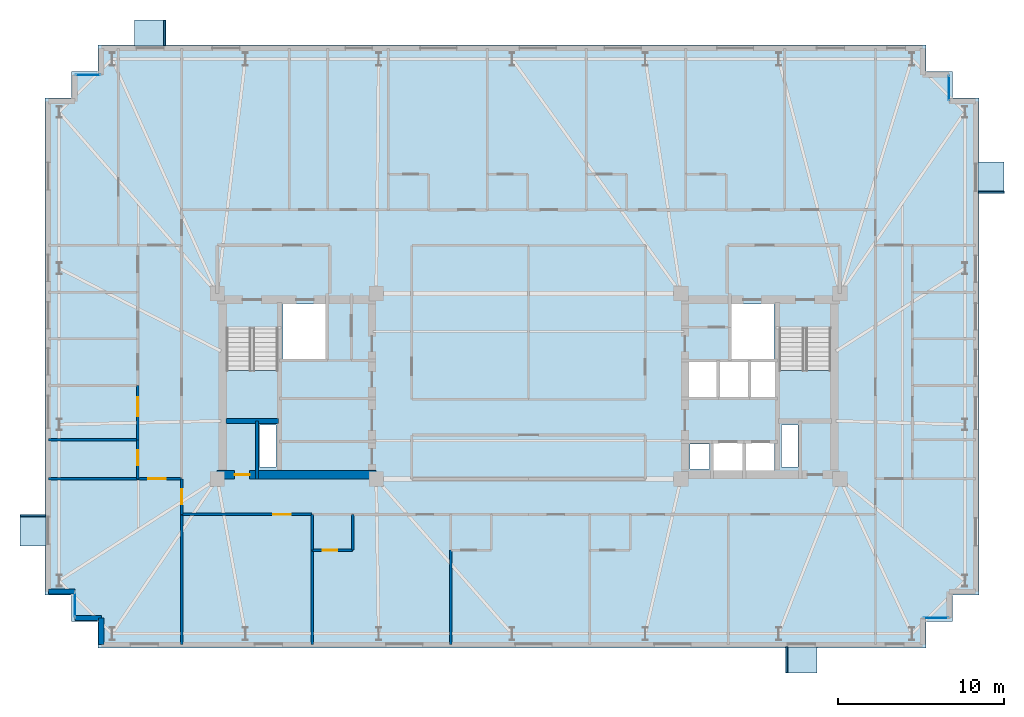
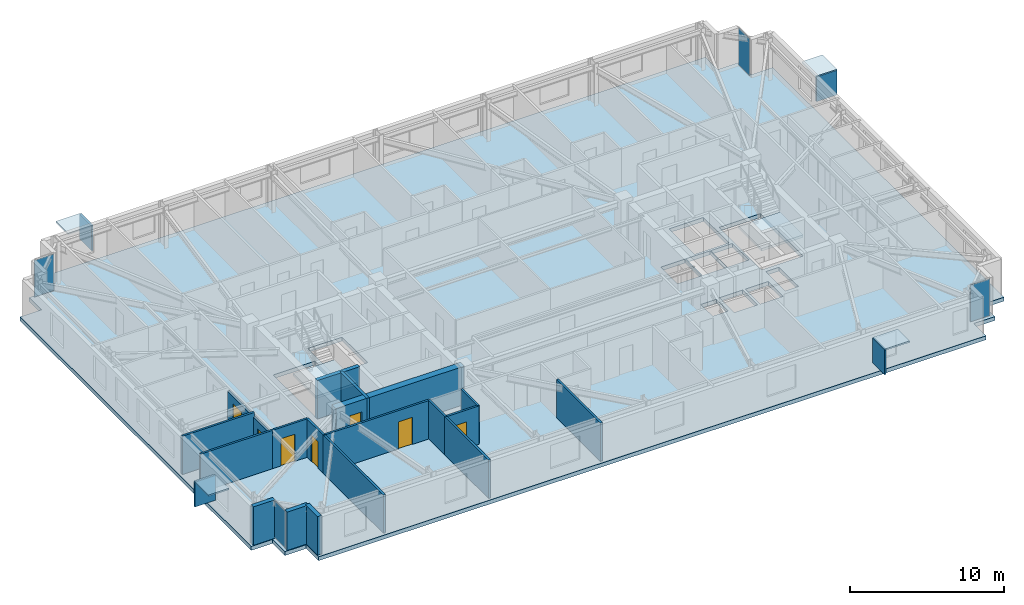
# One storey, part 10 of 18: 19 walls, 12 plates, 7 doors, 3 slabs, 7 openings, 6 elements without a shape of their own.
"""IFC4 building model written with IfcOpenShell, lengths in metres."""

from ifc_helpers import new_model, si_unit, direction, frame, frame_2d, origin, origin_2d, place, context, subcontext, project, spatial, polyline, rectangle, outline, extrude, material, layer, layer_set, type_object, element, fill, aggregate, save


model = new_model("IFC4")

# Units and contexts
model_context = context("Model", 3, precision=1e-05, world=origin(), true_north=direction((0.0, 1.0)))
body_context = subcontext(model_context, "Body", "Model", "MODEL_VIEW")
ifc_project = project(units=[si_unit("LENGTHUNIT", "METRE"), si_unit("AREAUNIT", "SQUARE_METRE"), si_unit("VOLUMEUNIT", "CUBIC_METRE"), si_unit("PLANEANGLEUNIT", "RADIAN"), si_unit("MASSUNIT", "GRAM", prefix="KILO")], contexts=[model_context])

# Site, building, storey
site_placement = place(None, origin())
site = spatial("IfcSite", under=ifc_project, at=site_placement, CompositionType="ELEMENT")
building_placement = place(site_placement, origin())
building = spatial("IfcBuilding", under=site, at=building_placement, Name="Qobustan Lattice House", CompositionType="ELEMENT")
storey_placement = place(building_placement, frame((0.0, 0.0, 134.35009765625)))
storey = spatial("IfcBuildingStorey", under=building, at=storey_placement, Name="L37", CompositionType="ELEMENT", Elevation=134.35009765625)

# Curtain wall, plate
ifc_material_1 = material(Name="Anodised aluminium and low-E glazing", Category="aluminium")
ifc_layer_1 = layer(ifc_material_1, 0.219970703125)
ifc_layer_set_1 = layer_set([ifc_layer_1], Name="Anodised aluminium and low-E glazing")
curtain_wall_type = type_object("IfcCurtainWallType", Name="CW-FAC-02", PredefinedType="USERDEFINED", material=ifc_layer_set_1)
curtain_wall_1_placement = place(storey_placement, origin())
curtain_wall_1 = element("IfcCurtainWall", 1, at=curtain_wall_1_placement, inside=storey, type_object=curtain_wall_type, Name="L37 serrated corner faceted glazing 3", ObjectType="CURTAIN WALL", PredefinedType="USERDEFINED")
ifc_material_2 = material(Name="Clear low-E laminated glass", Category="glass")
ifc_layer_2 = layer(ifc_material_2, 0.031982421875)
ifc_layer_set_2 = layer_set([ifc_layer_2], Name="Clear low-E laminated glass")
plate_type_1 = type_object("IfcPlateType", Name="CWP-VISION-32", PredefinedType="CURTAIN_PANEL", material=ifc_layer_set_2)
plate_1_placement = place(storey_placement, frame((-27.39990234375, -13.199951171875, 0.06494140625), z_axis=(0.0, 0.0, 1.0), x_axis=(0.0, 1.0, 0.0)))
plate_1 = element("IfcPlate", 2, at=plate_1_placement, type_object=plate_type_1, Name="CW-F2 panel 1.1", PredefinedType="CURTAIN_PANEL", context=body_context, shape_type="SweptSolid", body=[
    extrude(rectangle(XDim=1.4599609375, YDim=0.031982421875, at=origin_2d()), origin(), (0.0, 0.0, 1.0), 2.909912109375),
])
aggregate(curtain_wall_1, [plate_1])

curtain_wall_2_placement = place(storey_placement, origin())
curtain_wall_2 = element("IfcCurtainWall", 3, at=curtain_wall_2_placement, inside=storey, type_object=curtain_wall_type, Name="L37 serrated corner faceted glazing 8", ObjectType="CURTAIN WALL", PredefinedType="USERDEFINED")
plate_2_placement = place(storey_placement, frame((-26.60009765625, 18.800048828125, 0.06494140625), z_axis=(0.0, 0.0, 1.0), x_axis=(1.0, 0.0, 0.0)))
plate_2 = element("IfcPlate", 4, at=plate_2_placement, type_object=plate_type_1, Name="CW-F2 panel 1.1", PredefinedType="CURTAIN_PANEL", context=body_context, shape_type="SweptSolid", body=[
    extrude(rectangle(XDim=1.4599609375, YDim=0.031982421875, at=origin_2d()), origin(), (0.0, 0.0, 1.0), 2.909912109375),
])
aggregate(curtain_wall_2, [plate_2])

curtain_wall_3_placement = place(storey_placement, origin())
curtain_wall_3 = element("IfcCurtainWall", 5, at=curtain_wall_3_placement, inside=storey, type_object=curtain_wall_type, Name="L37 serrated corner faceted glazing 13", ObjectType="CURTAIN WALL", PredefinedType="USERDEFINED")
plate_3_placement = place(storey_placement, frame((25.39990234375, 18.0, 0.06494140625), z_axis=(0.0, 0.0, 1.0), x_axis=(0.0, -1.0, 0.0)))
plate_3 = element("IfcPlate", 6, at=plate_3_placement, type_object=plate_type_1, Name="CW-F2 panel 1.1", PredefinedType="CURTAIN_PANEL", context=body_context, shape_type="SweptSolid", body=[
    extrude(rectangle(XDim=1.4599609375, YDim=0.031982421875, at=origin_2d()), origin(), (0.0, 0.0, 1.0), 2.909912109375),
])
aggregate(curtain_wall_3, [plate_3])

curtain_wall_4_placement = place(storey_placement, origin())
curtain_wall_4 = element("IfcCurtainWall", 7, at=curtain_wall_4_placement, inside=storey, type_object=curtain_wall_type, Name="L37 serrated corner faceted glazing 18", ObjectType="CURTAIN WALL", PredefinedType="USERDEFINED")
plate_4_placement = place(storey_placement, frame((24.60009765625, -14.0, 0.06494140625), z_axis=(0.0, 0.0, 1.0), x_axis=(-1.0, 0.0, 0.0)))
plate_4 = element("IfcPlate", 8, at=plate_4_placement, type_object=plate_type_1, Name="CW-F2 panel 1.1", PredefinedType="CURTAIN_PANEL", context=body_context, shape_type="SweptSolid", body=[
    extrude(rectangle(XDim=1.4599609375, YDim=0.031982421875, at=origin_2d()), origin(), (0.0, 0.0, 1.0), 2.909912109375),
])
aggregate(curtain_wall_4, [plate_4])

# Plates
ifc_material_3 = material(Name="Qobustan limestone GFRC", Category="masonry")
ifc_layer_3 = layer(ifc_material_3, 0.1201171875)
ifc_layer_set_3 = layer_set([ifc_layer_3], Name="Qobustan limestone GFRC")
plate_type_2 = type_object("IfcPlateType", Name="SHD-HOOD-BROW", PredefinedType="USERDEFINED", material=ifc_layer_set_3)
plate_5_placement = place(storey_placement, frame((-29.929931640625, -8.719970703125, 2.699951171875), z_axis=(0.0, 0.0, 1.0), x_axis=(0.0, 1.0, 0.0)))
element("IfcPlate", 9, at=plate_5_placement, inside=storey, type_object=plate_type_2, Name="L37 splayed Qobustan stone hood brow", ObjectType="SUNSHADE", PredefinedType="USERDEFINED", context=body_context, shape_type="SweptSolid", body=[
    extrude(rectangle(XDim=1.889892578125, YDim=1.56005859375, at=origin_2d()), origin(), (0.0, 0.0, 1.0), 0.1201171875),
])
plate_6_placement = place(storey_placement, frame((-29.929931640625, -7.8349609375, 0.7900390625), z_axis=(0.0, 0.0, 1.0), x_axis=(0.0, 1.0, 0.0)))
element("IfcPlate", 10, at=plate_6_placement, inside=storey, type_object=plate_type_2, Name="L37 splayed Qobustan stone hood cheek", ObjectType="SUNSHADE", PredefinedType="USERDEFINED", context=body_context, shape_type="SweptSolid", body=[
    extrude(rectangle(XDim=0.1201171875, YDim=1.56005859375, at=origin_2d()), origin(), (0.0, 0.0, 1.0), 1.969970703125),
])
plate_7_placement = place(storey_placement, frame((-22.840087890625, 21.330078125, 2.699951171875), z_axis=(0.0, 0.0, 1.0), x_axis=(1.0, 0.0, 0.0)))
element("IfcPlate", 11, at=plate_7_placement, inside=storey, type_object=plate_type_2, Name="L37 splayed Qobustan stone hood brow", ObjectType="SUNSHADE", PredefinedType="USERDEFINED", context=body_context, shape_type="SweptSolid", body=[
    extrude(rectangle(XDim=1.889892578125, YDim=1.56005859375, at=origin_2d()), origin(), (0.0, 0.0, 1.0), 0.1201171875),
])
plate_8_placement = place(storey_placement, frame((-21.955078125, 21.330078125, 0.7900390625), z_axis=(0.0, 0.0, 1.0), x_axis=(1.0, 0.0, 0.0)))
element("IfcPlate", 12, at=plate_8_placement, inside=storey, type_object=plate_type_2, Name="L37 splayed Qobustan stone hood cheek", ObjectType="SUNSHADE", PredefinedType="USERDEFINED", context=body_context, shape_type="SweptSolid", body=[
    extrude(rectangle(XDim=0.1201171875, YDim=1.56005859375, at=origin_2d()), origin(), (0.0, 0.0, 1.0), 1.969970703125),
])
plate_9_placement = place(storey_placement, frame((27.929931640625, 12.60009765625, 2.699951171875), z_axis=(0.0, 0.0, 1.0), x_axis=(0.0, -1.0, 0.0)))
element("IfcPlate", 13, at=plate_9_placement, inside=storey, type_object=plate_type_2, Name="L37 splayed Qobustan stone hood brow", ObjectType="SUNSHADE", PredefinedType="USERDEFINED", context=body_context, shape_type="SweptSolid", body=[
    extrude(rectangle(XDim=1.889892578125, YDim=1.56005859375, at=origin_2d()), origin(), (0.0, 0.0, 1.0), 0.1201171875),
])
plate_10_placement = place(storey_placement, frame((27.929931640625, 11.715087890625, 0.7900390625), z_axis=(0.0, 0.0, 1.0), x_axis=(0.0, -1.0, 0.0)))
element("IfcPlate", 14, at=plate_10_placement, inside=storey, type_object=plate_type_2, Name="L37 splayed Qobustan stone hood cheek", ObjectType="SUNSHADE", PredefinedType="USERDEFINED", context=body_context, shape_type="SweptSolid", body=[
    extrude(rectangle(XDim=0.1201171875, YDim=1.56005859375, at=origin_2d()), origin(), (0.0, 0.0, 1.0), 1.969970703125),
])
plate_11_placement = place(storey_placement, frame((16.47998046875, -16.530029296875, 2.699951171875), z_axis=(0.0, 0.0, 1.0), x_axis=(-1.0, 0.0, 0.0)))
element("IfcPlate", 15, at=plate_11_placement, inside=storey, type_object=plate_type_2, Name="L37 splayed Qobustan stone hood brow", ObjectType="SUNSHADE", PredefinedType="USERDEFINED", context=body_context, shape_type="SweptSolid", body=[
    extrude(rectangle(XDim=1.889892578125, YDim=1.56005859375, at=origin_2d()), origin(), (0.0, 0.0, 1.0), 0.1201171875),
])
plate_12_placement = place(storey_placement, frame((15.594970703125, -16.530029296875, 0.7900390625), z_axis=(0.0, 0.0, 1.0), x_axis=(-1.0, 0.0, 0.0)))
element("IfcPlate", 16, at=plate_12_placement, inside=storey, type_object=plate_type_2, Name="L37 splayed Qobustan stone hood cheek", ObjectType="SUNSHADE", PredefinedType="USERDEFINED", context=body_context, shape_type="SweptSolid", body=[
    extrude(rectangle(XDim=0.1201171875, YDim=1.56005859375, at=origin_2d()), origin(), (0.0, 0.0, 1.0), 1.969970703125),
])

# Slab
ifc_material_4 = material(Name="Concrete C40/50", Category="concrete")
ifc_layer_4 = layer(ifc_material_4, 0.31005859375)
ifc_layer_set_4 = layer_set([ifc_layer_4], Name="Concrete C40/50")
slab_type_1 = type_object("IfcSlabType", Name="SLB-FLR-310", PredefinedType="FLOOR", material=ifc_layer_set_4)
slab_1_placement = place(storey_placement, frame((0.0, 0.0, -0.31005859375)))
element("IfcSlab", 17, at=slab_1_placement, inside=storey, type_object=slab_type_1, Name="L37 structural floor slab", PredefinedType="FLOOR", context=body_context, shape_type="SweptSolid", body=[
    extrude(outline(polyline([(-26.0, -15.800048828125), (24.0, -15.800048828125), (24.0, -14.199951171875), (25.60009765625, -14.199951171875), (25.60009765625, -12.60009765625), (27.199951171875, -12.60009765625), (27.199951171875, 17.39990234375), (25.60009765625, 17.39990234375), (25.60009765625, 19.0), (24.0, 19.0), (24.0, 20.60009765625), (-26.0, 20.60009765625), (-26.0, 19.0), (-27.60009765625, 19.0), (-27.60009765625, 17.39990234375), (-29.199951171875, 17.39990234375), (-29.199951171875, -12.60009765625), (-27.60009765625, -12.60009765625), (-27.60009765625, -14.199951171875), (-26.0, -14.199951171875), (-26.0, -15.800048828125)]), holes=[polyline([(-18.25, -2.050048828125), (-18.25, 3.489990234375), (-15.1298828125, 3.489990234375), (-15.1298828125, -2.050048828125), (-18.25, -2.050048828125)]), polyline([(15.1298828125, -2.050048828125), (15.1298828125, 3.489990234375), (18.25, 3.489990234375), (18.25, -2.050048828125), (15.1298828125, -2.050048828125)]), polyline([(-14.820068359375, 1.64990234375), (-14.820068359375, 4.9599609375), (-12.25, 4.9599609375), (-12.25, 1.64990234375), (-14.820068359375, 1.64990234375)]), polyline([(12.25, 1.64990234375), (12.25, 4.9599609375), (14.820068359375, 4.9599609375), (14.820068359375, 1.64990234375), (12.25, 1.64990234375)]), polyline([(-16.260009765625, -4.8798828125), (-16.260009765625, -2.360107421875), (-15.260009765625, -2.360107421875), (-15.260009765625, -4.8798828125), (-16.260009765625, -4.8798828125)]), polyline([(15.260009765625, -4.8798828125), (15.260009765625, -2.360107421875), (16.260009765625, -2.360107421875), (16.260009765625, -4.8798828125), (15.260009765625, -4.8798828125)]), polyline([(11.179931640625, -5.35009765625), (11.179931640625, -3.419921875), (12.919921875, -3.419921875), (12.919921875, -5.35009765625), (11.179931640625, -5.35009765625)]), polyline([(13.1201171875, -5.35009765625), (13.1201171875, -3.419921875), (14.85009765625, -3.419921875), (14.85009765625, -5.35009765625), (13.1201171875, -5.35009765625)]), polyline([(9.760009765625, -5.0), (9.760009765625, -3.47998046875), (10.93994140625, -3.47998046875), (10.93994140625, -5.0), (9.760009765625, -5.0)]), polyline([(13.360107421875, -0.679931640625), (13.360107421875, 1.47998046875), (14.97998046875, 1.47998046875), (14.97998046875, -0.679931640625), (13.360107421875, -0.679931640625)]), polyline([(9.6201171875, -0.679931640625), (9.6201171875, 1.47998046875), (11.43994140625, 1.47998046875), (11.43994140625, -0.679931640625), (9.6201171875, -0.679931640625)]), polyline([(11.5, -0.679931640625), (11.5, 1.47998046875), (13.320068359375, 1.47998046875), (13.320068359375, -0.679931640625), (11.5, -0.679931640625)])]), origin(), (0.0, 0.0, 1.0), 0.31005859375),
])

# Stair, slab
ifc_material_5 = material(Name="Concrete C40/50", Category="concrete")
stair_type = type_object("IfcStairType", Name="STR-CORE-DOGLEG", PredefinedType="HALF_TURN_STAIR", material=ifc_material_5)
stair_1_placement = place(storey_placement, origin())
stair_1 = element("IfcStair", 18, at=stair_1_placement, inside=storey, type_object=stair_type, Name="L37 West protected exit stair ST-W1", PredefinedType="HALF_TURN_STAIR")
ifc_material_6 = material(Name="Concrete C40/50", Category="concrete")
ifc_layer_5 = layer(ifc_material_6, 0.199951171875)
ifc_layer_set_5 = layer_set([ifc_layer_5], Name="Concrete C40/50")
slab_type_2 = type_object("IfcSlabType", Name="SLB-LANDING-200", PredefinedType="LANDING", material=ifc_layer_set_5)
slab_2_placement = place(storey_placement, frame((0.0, 0.0, 1.474853515625)))
slab_2 = element("IfcSlab", 19, at=slab_2_placement, type_object=slab_type_2, Name="ST-W1 landing 1", PredefinedType="LANDING", context=body_context, shape_type="SweptSolid", body=[
    extrude(outline(polyline([(-18.25, 0.93505859375), (-18.25, -2.050048828125), (-15.1298828125, -2.050048828125), (-15.1298828125, 0.93505859375), (-18.25, 0.93505859375)])), origin(), (0.0, 0.0, 1.0), 0.199951171875),
])
aggregate(stair_1, [slab_2])

stair_2_placement = place(storey_placement, origin())
stair_2 = element("IfcStair", 20, at=stair_2_placement, inside=storey, type_object=stair_type, Name="L37 East protected exit stair ST-E1", PredefinedType="HALF_TURN_STAIR")
slab_3_placement = place(storey_placement, frame((0.0, 0.0, 1.474853515625)))
slab_3 = element("IfcSlab", 21, at=slab_3_placement, type_object=slab_type_2, Name="ST-E1 landing 1", PredefinedType="LANDING", context=body_context, shape_type="SweptSolid", body=[
    extrude(outline(polyline([(15.1298828125, 0.93505859375), (15.1298828125, -2.050048828125), (18.25, -2.050048828125), (18.25, 0.93505859375), (15.1298828125, 0.93505859375)])), origin(), (0.0, 0.0, 1.0), 0.199951171875),
])
aggregate(stair_2, [slab_3])

# Wall, opening, door
ifc_material_7 = material(Name="Concrete C50/60", Category="concrete")
ifc_layer_6 = layer(ifc_material_7, 0.5)
ifc_layer_set_6 = layer_set([ifc_layer_6], Name="Concrete C50/60")
wall_type_1 = type_object("IfcWallType", Name="WAL-CORE-500", PredefinedType="SHEAR", material=ifc_layer_set_6)
wall_1_placement = place(storey_placement, frame((-18.800048828125, -5.35009765625, 0.0), z_axis=(0.0, 0.0, 1.0), x_axis=(1.0, 0.0, 0.0)))
wall_1 = element("IfcWall", 22, at=wall_1_placement, inside=storey, type_object=wall_type_1, Name="L37 split-core shear wall CW-S", PredefinedType="SHEAR", context=body_context, shape_type="SweptSolid", body=[
    extrude(rectangle(XDim=9.60009765625, YDim=0.5, at=frame_2d((4.800048828125, 0.0))), origin(), (0.0, 0.0, 1.0), 3.039794921875),
])
opening_1_placement = place(wall_1_placement, frame((1.050048828125, 0.0, 0.0)))
opening_1 = element("IfcOpeningElement", 23, at=opening_1_placement, cuts=wall_1, Name="Opening RD-01", PredefinedType="OPENING", context=body_context, shape_type="SweptSolid", body=[
    extrude(rectangle(XDim=0.89990234375, YDim=2.10009765625, at=frame_2d((0.449951171875, 1.050048828125))), frame((0.0, 0.260009765625, 0.0), z_axis=(0.0, -1.0, 0.0), x_axis=(1.0, 0.0, 0.0)), (0.0, 0.0, 1.0), 0.52001953125),
])
ifc_material_8 = material(Name="Persian walnut timber and steel frame door", Category="steel")
door_type_1 = type_object("IfcDoorType", Name="DOR-RISER-FD-900x2100", OperationType="NOTDEFINED", PredefinedType="DOOR", material=ifc_material_8)
door_1_placement = place(opening_1_placement, origin())
door_1 = element("IfcDoor", 24, at=door_1_placement, inside=storey, type_object=door_type_1, Name="L37 core service riser access door W", OperationType="SINGLE_SWING_LEFT", OverallHeight=2.10009765625, OverallWidth=0.89990234375, PredefinedType="DOOR", context=body_context, shape_type="SweptSolid", body=[
    extrude(rectangle(XDim=0.89990234375, YDim=2.10009765625, at=frame_2d((0.449951171875, 1.050048828125))), frame((0.0, 0.02490234375, 0.0), z_axis=(0.0, -1.0, 0.0), x_axis=(1.0, 0.0, 0.0)), (0.0, 0.0, 1.0), 0.050048828125),
])
fill(opening_1, door_1)

# Walls
ifc_material_9 = material(Name="Concrete C50/60", Category="concrete")
ifc_layer_7 = layer(ifc_material_9, 0.280029296875)
ifc_layer_set_7 = layer_set([ifc_layer_7], Name="Concrete C50/60")
wall_type_2 = type_object("IfcWallType", Name="WAL-CORE-SPINE-280", PredefinedType="SHEAR", material=ifc_layer_set_7)
wall_2_placement = place(storey_placement, frame((-18.280029296875, -2.110107421875, 0.0), z_axis=(0.0, 0.0, 1.0), x_axis=(1.0, 0.0, 0.0)))
element("IfcWall", 25, at=wall_2_placement, inside=storey, type_object=wall_type_2, Name="L37 split-core shear wall CW-ST", PredefinedType="SHEAR", context=body_context, shape_type="SweptSolid", body=[
    extrude(rectangle(XDim=3.179931640625, YDim=0.300048828125, at=frame_2d((1.58984375, 0.0))), origin(), (0.0, 0.0, 1.0), 3.039794921875),
])
ifc_material_10 = material(Name="Precast concrete C40/50", Category="concrete")
ifc_layer_8 = layer(ifc_material_10, 0.320068359375)
ifc_layer_set_8 = layer_set([ifc_layer_8], Name="Precast concrete C40/50")
wall_type_3 = type_object("IfcWallType", Name="WAL-EXT-STONE-320", PredefinedType="SOLIDWALL", material=ifc_layer_set_8)
wall_3_placement = place(storey_placement, frame((-25.800048828125, -15.60009765625, 0.0), z_axis=(0.0, 0.0, 1.0), x_axis=(0.0, 1.0, 0.0)))
element("IfcWall", 26, at=wall_3_placement, inside=storey, type_object=wall_type_3, Name="L37 exterior limestone-clad wall 1", PredefinedType="SOLIDWALL", context=body_context, shape_type="SweptSolid", body=[
    extrude(rectangle(XDim=1.60009765625, YDim=0.320068359375, at=frame_2d((0.800048828125, 0.0))), origin(), (0.0, 0.0, 1.0), 3.039794921875),
])
wall_4_placement = place(storey_placement, frame((-25.800048828125, -14.0, 0.0), z_axis=(0.0, 0.0, 1.0), x_axis=(-1.0, 0.0, 0.0)))
element("IfcWall", 27, at=wall_4_placement, inside=storey, type_object=wall_type_3, Name="L37 exterior limestone-clad wall 2", PredefinedType="SOLIDWALL", context=body_context, shape_type="SweptSolid", body=[
    extrude(rectangle(XDim=1.599853515625, YDim=0.320068359375, at=frame_2d((0.7998046875, 0.0))), origin(), (0.0, 0.0, 1.0), 3.039794921875),
])
wall_5_placement = place(storey_placement, frame((-27.39990234375, -12.39990234375, 0.0), z_axis=(0.0, 0.0, 1.0), x_axis=(-1.0, 0.0, 0.0)))
element("IfcWall", 28, at=wall_5_placement, inside=storey, type_object=wall_type_3, Name="L37 exterior limestone-clad wall 4", PredefinedType="SOLIDWALL", context=body_context, shape_type="SweptSolid", body=[
    extrude(rectangle(XDim=1.60009765625, YDim=0.320068359375, at=frame_2d((0.800048828125, 0.0))), origin(), (0.0, 0.0, 1.0), 3.039794921875),
])

# Wall, opening, door
ifc_material_11 = material(Name="Acoustic twin-stud gypsum partition", Category="gypsum")
ifc_layer_9 = layer(ifc_material_11, 0.14990234375)
ifc_layer_set_9 = layer_set([ifc_layer_9], Name="Acoustic twin-stud gypsum partition")
wall_type_4 = type_object("IfcWallType", Name="WAL-PART-150", PredefinedType="PARTITIONING", material=ifc_layer_set_9)
wall_6_placement = place(storey_placement, frame((-20.949951171875, -7.75, 0.0), z_axis=(0.0, 0.0, 1.0), x_axis=(0.0, 1.0, 0.0)))
wall_6 = element("IfcWall", 29, at=wall_6_placement, inside=storey, type_object=wall_type_4, Name="L37 interior partition 50", PredefinedType="PARTITIONING", context=body_context, shape_type="SweptSolid", body=[
    extrude(rectangle(XDim=2.14990234375, YDim=0.14990234375, at=frame_2d((1.074951171875, 0.0))), origin(), (0.0, 0.0, 1.0), 3.039794921875),
])
opening_2_placement = place(wall_6_placement, frame((0.625, 0.0, 0.0)))
opening_2 = element("IfcOpeningElement", 30, at=opening_2_placement, cuts=wall_6, Name="Opening WD-01", PredefinedType="OPENING", context=body_context, shape_type="SweptSolid", body=[
    extrude(rectangle(XDim=0.89990234375, YDim=2.10009765625, at=frame_2d((0.449951171875, 1.050048828125))), frame((0.0, 0.0849609375, 0.0), z_axis=(0.0, -1.0, 0.0), x_axis=(1.0, 0.0, 0.0)), (0.0, 0.0, 1.0), 0.169921875),
])
ifc_material_12 = material(Name="Persian walnut timber and steel frame door", Category="steel")
door_type_2 = type_object("IfcDoorType", Name="DOR-WET-900x2100", OperationType="NOTDEFINED", PredefinedType="DOOR", material=ifc_material_12)
door_2_placement = place(opening_2_placement, origin())
door_2 = element("IfcDoor", 31, at=door_2_placement, inside=storey, type_object=door_type_2, Name="L37 South-west floor corridor to Reading study room L37WS door", OperationType="SINGLE_SWING_LEFT", OverallHeight=2.10009765625, OverallWidth=0.89990234375, PredefinedType="DOOR", context=body_context, shape_type="SweptSolid", body=[
    extrude(rectangle(XDim=0.89990234375, YDim=2.10009765625, at=frame_2d((0.449951171875, 1.050048828125))), frame((0.0, 0.02490234375, 0.0), z_axis=(0.0, -1.0, 0.0), x_axis=(1.0, 0.0, 0.0)), (0.0, 0.0, 1.0), 0.050048828125),
])
fill(opening_2, door_2)

wall_7_placement = place(storey_placement, frame((-13.070068359375, -7.75, 0.0), z_axis=(0.0, 0.0, 1.0), x_axis=(-1.0, 0.0, 0.0)))
wall_7 = element("IfcWall", 32, at=wall_7_placement, inside=storey, type_object=wall_type_4, Name="L37 interior partition 51", PredefinedType="PARTITIONING", context=body_context, shape_type="SweptSolid", body=[
    extrude(rectangle(XDim=7.8798828125, YDim=0.14990234375, at=frame_2d((3.93994140625, 0.0))), origin(), (0.0, 0.0, 1.0), 3.039794921875),
])
opening_3_placement = place(wall_7_placement, frame((1.288818359375, 0.0, 0.0)))
opening_3 = element("IfcOpeningElement", 33, at=opening_3_placement, cuts=wall_7, Name="Opening ID-02", PredefinedType="OPENING", context=body_context, shape_type="SweptSolid", body=[
    extrude(rectangle(XDim=1.050048828125, YDim=2.14990234375, at=frame_2d((0.52490234375, 1.074951171875))), frame((0.0, 0.0849609375, 0.0), z_axis=(0.0, -1.0, 0.0), x_axis=(1.0, 0.0, 0.0)), (0.0, 0.0, 1.0), 0.169921875),
])
ifc_material_13 = material(Name="Persian walnut timber and steel frame door", Category="steel")
door_type_3 = type_object("IfcDoorType", Name="DOR-STUDY-1050x2150", OperationType="NOTDEFINED", PredefinedType="DOOR", material=ifc_material_13)
door_3_placement = place(opening_3_placement, origin())
door_3 = element("IfcDoor", 34, at=door_3_placement, inside=storey, type_object=door_type_3, Name="L37 South-west floor corridor to Focus study room S1 door", OperationType="SINGLE_SWING_RIGHT", OverallHeight=2.14990234375, OverallWidth=1.050048828125, PredefinedType="DOOR", context=body_context, shape_type="SweptSolid", body=[
    extrude(rectangle(XDim=1.050048828125, YDim=2.14990234375, at=frame_2d((0.52490234375, 1.074951171875))), frame((0.0, 0.02490234375, 0.0), z_axis=(0.0, -1.0, 0.0), x_axis=(1.0, 0.0, 0.0)), (0.0, 0.0, 1.0), 0.050048828125),
])
fill(opening_3, door_3)

wall_8_placement = place(storey_placement, frame((-20.949951171875, -5.60009765625, 0.0), z_axis=(0.0, 0.0, 1.0), x_axis=(-1.0, 0.0, 0.0)))
wall_8 = element("IfcWall", 35, at=wall_8_placement, inside=storey, type_object=wall_type_4, Name="L37 interior partition 73", PredefinedType="PARTITIONING", context=body_context, shape_type="SweptSolid", body=[
    extrude(rectangle(XDim=2.650146484375, YDim=0.14990234375, at=frame_2d((1.3251953125, 0.0))), origin(), (0.0, 0.0, 1.0), 3.039794921875),
])
opening_4_placement = place(wall_8_placement, frame((0.965087890625, 0.0, 0.0)))
opening_4 = element("IfcOpeningElement", 36, at=opening_4_placement, cuts=wall_8, Name="Opening ID-02", PredefinedType="OPENING", context=body_context, shape_type="SweptSolid", body=[
    extrude(rectangle(XDim=1.050048828125, YDim=2.14990234375, at=frame_2d((0.52490234375, 1.074951171875))), frame((0.0, 0.0849609375, 0.0), z_axis=(0.0, -1.0, 0.0), x_axis=(1.0, 0.0, 0.0)), (0.0, 0.0, 1.0), 0.169921875),
])
door_4_placement = place(opening_4_placement, origin())
door_4 = element("IfcDoor", 37, at=door_4_placement, inside=storey, type_object=door_type_3, Name="L37 Residence entrance hall L37W to Reading study room L37WS door", OperationType="SINGLE_SWING_RIGHT", OverallHeight=2.14990234375, OverallWidth=1.050048828125, PredefinedType="DOOR", context=body_context, shape_type="SweptSolid", body=[
    extrude(rectangle(XDim=1.050048828125, YDim=2.14990234375, at=frame_2d((0.52490234375, 1.074951171875))), frame((0.0, 0.02490234375, 0.0), z_axis=(0.0, -1.0, 0.0), x_axis=(1.0, 0.0, 0.0)), (0.0, 0.0, 1.0), 0.050048828125),
])
fill(opening_4, door_4)

# Walls
wall_9_placement = place(storey_placement, frame((-20.949951171875, -7.75, 0.0), z_axis=(0.0, 0.0, 1.0), x_axis=(0.0, -1.0, 0.0)))
element("IfcWall", 38, at=wall_9_placement, inside=storey, type_object=wall_type_4, Name="L37 interior partition 84", PredefinedType="PARTITIONING", context=body_context, shape_type="SweptSolid", body=[
    extrude(rectangle(XDim=7.85009765625, YDim=0.14990234375, at=frame_2d((3.925048828125, 0.0))), origin(), (0.0, 0.0, 1.0), 3.039794921875),
])
for number, where, z_axis, x_axis, name in (
    (39, (-13.070068359375, -9.89990234375, 0.0), (0.0, 0.0, 1.0), (0.0, -1.0, 0.0), "L37 interior partition 123"),
    (40, (-4.68994140625, -9.89990234375, 0.0), (0.0, 0.0, 1.0), (0.0, -1.0, 0.0), "L37 interior partition 127"),
):
    element("IfcWall", number, at=place(storey_placement, frame(where, z_axis=z_axis, x_axis=x_axis)), inside=storey, type_object=wall_type_4, Name=name, PredefinedType="PARTITIONING", context=body_context, shape_type="SweptSolid", body=[
        extrude(rectangle(XDim=5.7001953125, YDim=0.14990234375, at=frame_2d((2.85009765625, 0.0))), origin(), (0.0, 0.0, 1.0), 3.039794921875),
    ])

# Wall, opening, door
ifc_material_14 = material(Name="High-mass acoustic twin-stud partition", Category="gypsum")
ifc_layer_10 = layer(ifc_material_14, 0.1650390625)
ifc_layer_set_10 = layer_set([ifc_layer_10], Name="High-mass acoustic twin-stud partition")
wall_type_5 = type_object("IfcWallType", Name="WAL-PART-165", PredefinedType="PARTITIONING", material=ifc_layer_set_10)
wall_10_placement = place(storey_placement, frame((-23.60009765625, -3.25, 0.0), z_axis=(0.0, 0.0, 1.0), x_axis=(0.0, 1.0, 0.0)))
wall_10 = element("IfcWall", 41, at=wall_10_placement, inside=storey, type_object=wall_type_5, Name="L37 interior partition 75", PredefinedType="PARTITIONING", context=body_context, shape_type="SweptSolid", body=[
    extrude(rectangle(XDim=3.2900390625, YDim=0.1650390625, at=frame_2d((1.64501953125, 0.0))), origin(), (0.0, 0.0, 1.0), 2.69482421875),
])
opening_5_placement = place(wall_10_placement, frame((1.4375, 0.0, 0.0)))
opening_5 = element("IfcOpeningElement", 42, at=opening_5_placement, cuts=wall_10, Name="Opening ID-03", PredefinedType="OPENING", context=body_context, shape_type="SweptSolid", body=[
    extrude(rectangle(XDim=1.14990234375, YDim=2.14990234375, at=frame_2d((0.574951171875, 1.074951171875))), frame((0.0, 0.092529296875, 0.0), z_axis=(0.0, -1.0, 0.0), x_axis=(1.0, 0.0, 0.0)), (0.0, 0.0, 1.0), 0.18505859375),
])
ifc_material_15 = material(Name="Persian walnut timber and steel frame door", Category="steel")
door_type_4 = type_object("IfcDoorType", Name="DOR-KITCH-1150x2150", OperationType="NOTDEFINED", PredefinedType="DOOR", material=ifc_material_15)
door_5_placement = place(opening_5_placement, origin())
door_5 = element("IfcDoor", 43, at=door_5_placement, inside=storey, type_object=door_type_4, Name="L37 Residence entrance hall L37W to Shared kitchen L37W door", OperationType="SINGLE_SWING_RIGHT", OverallHeight=2.14990234375, OverallWidth=1.14990234375, PredefinedType="DOOR", context=body_context, shape_type="SweptSolid", body=[
    extrude(rectangle(XDim=1.14990234375, YDim=2.14990234375, at=frame_2d((0.574951171875, 1.074951171875))), frame((0.0, 0.02490234375, 0.0), z_axis=(0.0, -1.0, 0.0), x_axis=(1.0, 0.0, 0.0)), (0.0, 0.0, 1.0), 0.050048828125),
])
fill(opening_5, door_5)

# Wall
ifc_material_16 = material(Name="Concrete C40/50", Category="concrete")
ifc_layer_11 = layer(ifc_material_16, 0.199951171875)
ifc_layer_set_11 = layer_set([ifc_layer_11], Name="Concrete C40/50")
wall_type_6 = type_object("IfcWallType", Name="WAL-SHAFT-200", PredefinedType="PARTITIONING", material=ifc_layer_set_11)
wall_11_placement = place(storey_placement, frame((-16.39990234375, -5.60009765625, 0.0), z_axis=(0.0, 0.0, 1.0), x_axis=(0.0, 1.0, 0.0)))
element("IfcWall", 44, at=wall_11_placement, inside=storey, type_object=wall_type_6, Name="L37 interior partition 1", PredefinedType="PARTITIONING", context=body_context, shape_type="SweptSolid", body=[
    extrude(rectangle(XDim=3.489990234375, YDim=0.199951171875, at=frame_2d((1.7451171875, 0.0))), origin(), (0.0, 0.0, 1.0), 3.039794921875),
])

# Wall, opening, door
ifc_material_17 = material(Name="Moisture-resistant acoustic plumbing wall", Category="gypsum")
ifc_layer_12 = layer(ifc_material_17, 0.14990234375)
ifc_layer_set_12 = layer_set([ifc_layer_12], Name="Moisture-resistant acoustic plumbing wall")
wall_type_7 = type_object("IfcWallType", Name="WAL-WET-150", PredefinedType="PLUMBINGWALL", material=ifc_layer_set_12)
wall_12_placement = place(storey_placement, frame((-23.60009765625, -5.60009765625, 0.0), z_axis=(0.0, 0.0, 1.0), x_axis=(0.0, 1.0, 0.0)))
wall_12 = element("IfcWall", 45, at=wall_12_placement, inside=storey, type_object=wall_type_7, Name="L37 interior partition 74", PredefinedType="PLUMBINGWALL", context=body_context, shape_type="SweptSolid", body=[
    extrude(rectangle(XDim=2.35009765625, YDim=0.14990234375, at=frame_2d((1.175048828125, 0.0))), origin(), (0.0, 0.0, 1.0), 2.69482421875),
])
opening_6_placement = place(wall_12_placement, frame((0.833740234375, 0.0, 0.0)))
opening_6 = element("IfcOpeningElement", 46, at=opening_6_placement, cuts=wall_12, Name="Opening WD-01", PredefinedType="OPENING", context=body_context, shape_type="SweptSolid", body=[
    extrude(rectangle(XDim=0.89990234375, YDim=2.10009765625, at=frame_2d((0.449951171875, 1.050048828125))), frame((0.0, 0.0849609375, 0.0), z_axis=(0.0, -1.0, 0.0), x_axis=(1.0, 0.0, 0.0)), (0.0, 0.0, 1.0), 0.169921875),
])
door_6_placement = place(opening_6_placement, origin())
door_6 = element("IfcDoor", 47, at=door_6_placement, inside=storey, type_object=door_type_2, Name="L37 Residence entrance hall L37W to Shared bathroom L37W door", OperationType="SINGLE_SWING_LEFT", OverallHeight=2.10009765625, OverallWidth=0.89990234375, PredefinedType="DOOR", context=body_context, shape_type="SweptSolid", body=[
    extrude(rectangle(XDim=0.89990234375, YDim=2.10009765625, at=frame_2d((0.449951171875, 1.050048828125))), frame((0.0, 0.02490234375, 0.0), z_axis=(0.0, -1.0, 0.0), x_axis=(1.0, 0.0, 0.0)), (0.0, 0.0, 1.0), 0.050048828125),
])
fill(opening_6, door_6)

# Walls
for number, where, z_axis, x_axis, name in (
    (48, (-29.0, -5.60009765625, 0.0), (0.0, 0.0, 1.0), (1.0, 0.0, 0.0), "L37 interior partition 83"),
    (49, (-29.0, -3.25, 0.0), (0.0, 0.0, 1.0), (1.0, 0.0, 0.0), "L37 interior partition 85"),
):
    element("IfcWall", number, at=place(storey_placement, frame(where, z_axis=z_axis, x_axis=x_axis)), inside=storey, type_object=wall_type_7, Name=name, PredefinedType="PLUMBINGWALL", context=body_context, shape_type="SweptSolid", body=[
        extrude(rectangle(XDim=5.39990234375, YDim=0.14990234375, at=frame_2d((2.699951171875, 0.0))), origin(), (0.0, 0.0, 1.0), 3.039794921875),
    ])
wall_13_placement = place(storey_placement, frame((-13.070068359375, -7.75, 0.0), z_axis=(0.0, 0.0, 1.0), x_axis=(0.0, -1.0, 0.0)))
element("IfcWall", 50, at=wall_13_placement, inside=storey, type_object=wall_type_7, Name="L37 interior partition 124", PredefinedType="PLUMBINGWALL", context=body_context, shape_type="SweptSolid", body=[
    extrude(rectangle(XDim=2.14990234375, YDim=0.14990234375, at=frame_2d((1.074951171875, 0.0))), origin(), (0.0, 0.0, 1.0), 3.039794921875),
])

# Wall, opening, door
wall_14_placement = place(storey_placement, frame((-13.070068359375, -9.89990234375, 0.0), z_axis=(0.0, 0.0, 1.0), x_axis=(1.0, 0.0, 0.0)))
wall_14 = element("IfcWall", 51, at=wall_14_placement, inside=storey, type_object=wall_type_7, Name="L37 interior partition 125", PredefinedType="PLUMBINGWALL", context=body_context, shape_type="SweptSolid", body=[
    extrude(rectangle(XDim=2.449951171875, YDim=0.14990234375, at=frame_2d((1.22509765625, 0.0))), origin(), (0.0, 0.0, 1.0), 3.039794921875),
])
opening_7_placement = place(wall_14_placement, frame((0.62890625, 0.0, 0.0)))
opening_7 = element("IfcOpeningElement", 52, at=opening_7_placement, cuts=wall_14, Name="Opening WD-01", PredefinedType="OPENING", context=body_context, shape_type="SweptSolid", body=[
    extrude(rectangle(XDim=0.89990234375, YDim=2.10009765625, at=frame_2d((0.449951171875, 1.050048828125))), frame((0.0, 0.0849609375, 0.0), z_axis=(0.0, -1.0, 0.0), x_axis=(1.0, 0.0, 0.0)), (0.0, 0.0, 1.0), 0.169921875),
])
door_7_placement = place(opening_7_placement, origin())
door_7 = element("IfcDoor", 53, at=door_7_placement, inside=storey, type_object=door_type_2, Name="L37 Kitchenette and studio apartment L37-S2 to En-suite bathroom L37-S2 door", OperationType="SINGLE_SWING_RIGHT", OverallHeight=2.10009765625, OverallWidth=0.89990234375, PredefinedType="DOOR", context=body_context, shape_type="SweptSolid", body=[
    extrude(rectangle(XDim=0.89990234375, YDim=2.10009765625, at=frame_2d((0.449951171875, 1.050048828125))), frame((0.0, 0.02490234375, 0.0), z_axis=(0.0, -1.0, 0.0), x_axis=(1.0, 0.0, 0.0)), (0.0, 0.0, 1.0), 0.050048828125),
])
fill(opening_7, door_7)

# Wall
wall_15_placement = place(storey_placement, frame((-10.6201171875, -9.89990234375, 0.0), z_axis=(0.0, 0.0, 1.0), x_axis=(0.0, 1.0, 0.0)))
element("IfcWall", 54, at=wall_15_placement, inside=storey, type_object=wall_type_7, Name="L37 interior partition 126", PredefinedType="PLUMBINGWALL", context=body_context, shape_type="SweptSolid", body=[
    extrude(rectangle(XDim=2.14990234375, YDim=0.14990234375, at=frame_2d((1.074951171875, 0.0))), origin(), (0.0, 0.0, 1.0), 3.039794921875),
])

save(model, "model.ifc")
